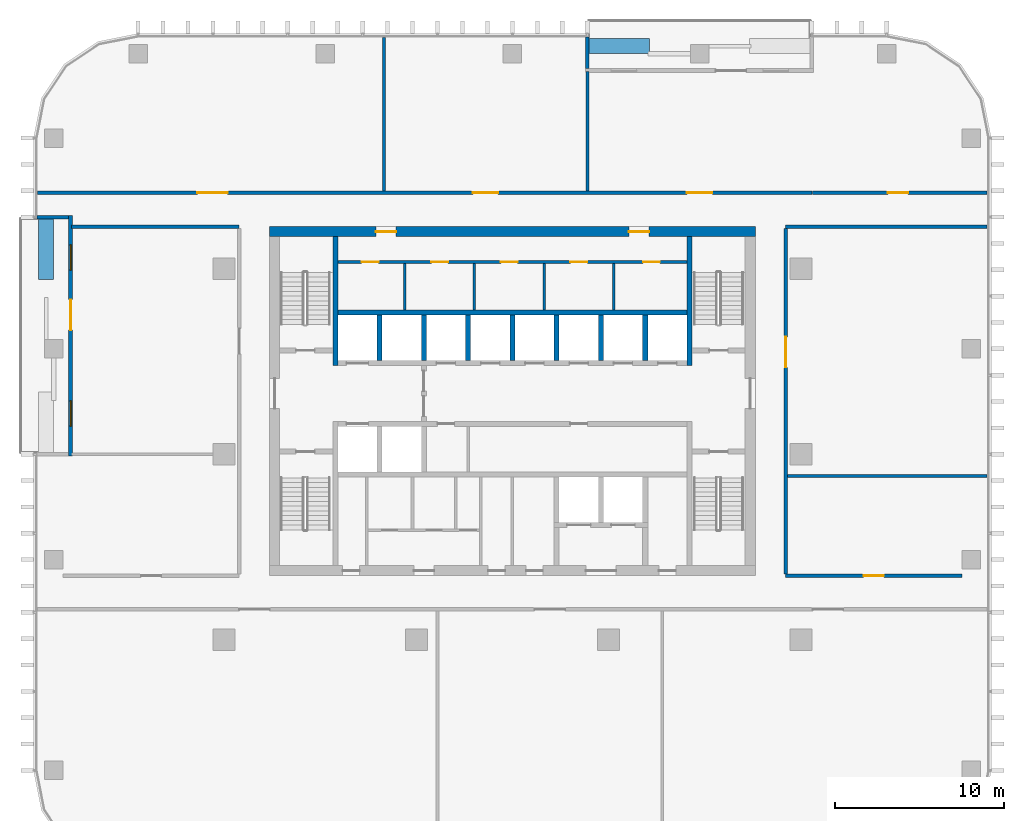
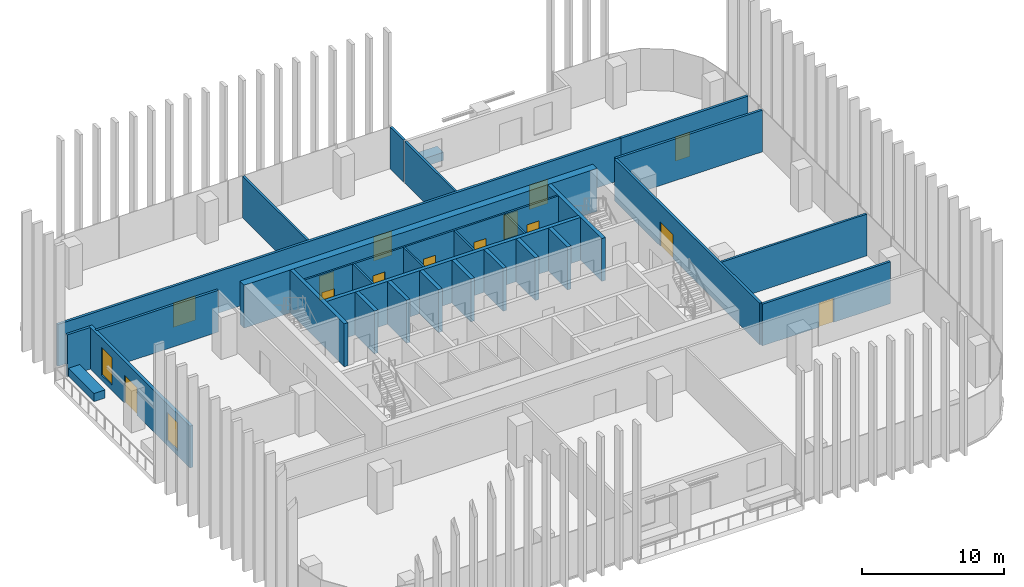
# One storey, part 9 of 16: 30 walls, 14 doors, 2 windows, 16 openings.
"""IFC4 building model written with IfcOpenShell, lengths in metres."""

from ifc_helpers import new_model, si_unit, direction, frame, frame_2d, origin, place, context, subcontext, project, spatial, rectangle, extrude, material, layer, layer_set, type_object, element, fill, save


model = new_model("IFC4")

# Units and contexts
model_context = context("Model", 3, precision=1e-05, world=origin(), true_north=direction((0.0, 1.0)))
body_context = subcontext(model_context, "Body", "Model", "MODEL_VIEW")
ifc_project = project(units=[si_unit("LENGTHUNIT", "METRE"), si_unit("AREAUNIT", "SQUARE_METRE"), si_unit("VOLUMEUNIT", "CUBIC_METRE"), si_unit("PLANEANGLEUNIT", "RADIAN"), si_unit("MASSUNIT", "GRAM", prefix="KILO")], contexts=[model_context])

# Site, building, storey
site_placement = place(None, origin())
site = spatial("IfcSite", under=ifc_project, at=site_placement, CompositionType="ELEMENT")
building_placement = place(site_placement, origin())
building = spatial("IfcBuilding", under=site, at=building_placement, Name="Mopane Tessera Tower", CompositionType="ELEMENT")
storey_placement = place(building_placement, frame((0.0, 0.0, 235.0)))
storey = spatial("IfcBuildingStorey", under=building, at=storey_placement, Name="L50", CompositionType="ELEMENT", Elevation=235.0)

# Walls
ifc_material_1 = material(Name="Fire-rated gypsum board partition")
ifc_layer_1 = layer(ifc_material_1, 0.14990234375)
ifc_layer_set_1 = layer_set([ifc_layer_1], Name="Fire-rated gypsum board partition")
wall_type_1 = type_object("IfcWallType", Name="Core room partition 150 mm", PredefinedType="PARTITIONING", material=ifc_layer_set_1)
for number, where, z_axis, x_axis, name in (
    (1, (-6.375, 8.550048828125, 0.0), (0.0, 0.0, 1.0), (0.0, 1.0, 0.0), "L50 Room partition"),
    (2, (-2.25, 8.550048828125, 0.0), (0.0, 0.0, 1.0), (0.0, 1.0, 0.0), "L50 Room partition"),
    (3, (1.875, 8.550048828125, 0.0), (0.0, 0.0, 1.0), (0.0, 1.0, 0.0), "L50 Room partition"),
    (4, (6.0, 8.550048828125, 0.0), (0.0, 0.0, 1.0), (0.0, 1.0, 0.0), "L50 Room partition"),
):
    element("IfcWall", number, at=place(storey_placement, frame(where, z_axis=z_axis, x_axis=x_axis)), inside=storey, type_object=wall_type_1, Name=name, PredefinedType="PARTITIONING", context=body_context, shape_type="SweptSolid", body=[
        extrude(rectangle(XDim=2.77490234375, YDim=0.14990234375, at=frame_2d((1.387451171875, 0.0))), origin(), (0.0, 0.0, 1.0), 3.699951171875),
    ])

# Wall, openings, doors
wall_1_placement = place(storey_placement, frame((-10.35009765625, 11.39990234375, 0.0), z_axis=(0.0, 0.0, 1.0), x_axis=(1.0, 0.0, 0.0)))
wall_1 = element("IfcWall", 5, at=wall_1_placement, inside=storey, type_object=wall_type_1, Name="L50 Corridor wall", PredefinedType="PARTITIONING", context=body_context, shape_type="SweptSolid", body=[
    extrude(rectangle(XDim=20.7001953125, YDim=0.14990234375, at=frame_2d((10.35009765625, 0.0))), origin(), (0.0, 0.0, 1.0), 3.699951171875),
])
opening_1_placement = place(wall_1_placement, frame((1.41259765625, 0.0, 0.0)))
opening_1 = element("IfcOpeningElement", 6, at=opening_1_placement, cuts=wall_1, Name="Opening RD1", PredefinedType="OPENING", context=body_context, shape_type="SweptSolid", body=[
    extrude(rectangle(XDim=1.0, YDim=2.10009765625, at=frame_2d((0.5, 1.050048828125))), frame((0.0, 0.0869140625, 0.0), z_axis=(0.0, -1.0, 0.0), x_axis=(1.0, 0.0, 0.0)), (0.0, 0.0, 1.0), 0.173828125),
])
opening_2_placement = place(wall_1_placement, frame((5.53759765625, 0.0, 0.0)))
opening_2 = element("IfcOpeningElement", 7, at=opening_2_placement, cuts=wall_1, Name="Opening RD1", PredefinedType="OPENING", context=body_context, shape_type="SweptSolid", body=[
    extrude(rectangle(XDim=1.0, YDim=2.10009765625, at=frame_2d((0.5, 1.050048828125))), frame((0.0, 0.0869140625, 0.0), z_axis=(0.0, -1.0, 0.0), x_axis=(1.0, 0.0, 0.0)), (0.0, 0.0, 1.0), 0.173828125),
])
opening_3_placement = place(wall_1_placement, frame((9.66259765625, 0.0, 0.0)))
opening_3 = element("IfcOpeningElement", 8, at=opening_3_placement, cuts=wall_1, Name="Opening RD1", PredefinedType="OPENING", context=body_context, shape_type="SweptSolid", body=[
    extrude(rectangle(XDim=1.0, YDim=2.10009765625, at=frame_2d((0.5, 1.050048828125))), frame((0.0, 0.0869140625, 0.0), z_axis=(0.0, -1.0, 0.0), x_axis=(1.0, 0.0, 0.0)), (0.0, 0.0, 1.0), 0.173828125),
])
opening_4_placement = place(wall_1_placement, frame((13.78759765625, 0.0, 0.0)))
opening_4 = element("IfcOpeningElement", 9, at=opening_4_placement, cuts=wall_1, Name="Opening RD1", PredefinedType="OPENING", context=body_context, shape_type="SweptSolid", body=[
    extrude(rectangle(XDim=1.0, YDim=2.10009765625, at=frame_2d((0.5, 1.050048828125))), frame((0.0, 0.0869140625, 0.0), z_axis=(0.0, -1.0, 0.0), x_axis=(1.0, 0.0, 0.0)), (0.0, 0.0, 1.0), 0.173828125),
])
opening_5_placement = place(wall_1_placement, frame((18.10009765625, 0.0, 0.0)))
opening_5 = element("IfcOpeningElement", 10, at=opening_5_placement, cuts=wall_1, Name="Opening RD1", PredefinedType="OPENING", context=body_context, shape_type="SweptSolid", body=[
    extrude(rectangle(XDim=1.0, YDim=2.10009765625, at=frame_2d((0.5, 1.050048828125))), frame((0.0, 0.0869140625, 0.0), z_axis=(0.0, -1.0, 0.0), x_axis=(1.0, 0.0, 0.0)), (0.0, 0.0, 1.0), 0.173828125),
])
ifc_material_2 = material(Name="Timber door", Category="wood")
door_type_1 = type_object("IfcDoorType", Name="Core room door 1000 x 2100", OperationType="SINGLE_SWING_LEFT", PredefinedType="DOOR", material=ifc_material_2)
door_1_placement = place(opening_1_placement, origin())
door_1 = element("IfcDoor", 11, at=door_1_placement, inside=storey, type_object=door_type_1, Name="L50 Room door", OperationType="SINGLE_SWING_LEFT", OverallHeight=2.10009765625, OverallWidth=1.0, PredefinedType="DOOR", context=body_context, shape_type="SweptSolid", body=[
    extrude(rectangle(XDim=1.0, YDim=2.10009765625, at=frame_2d((0.5, 1.050048828125))), frame((0.0, 0.02490234375, 0.0), z_axis=(0.0, -1.0, 0.0), x_axis=(1.0, 0.0, 0.0)), (0.0, 0.0, 1.0), 0.050048828125),
])
fill(opening_1, door_1)
door_2_placement = place(opening_2_placement, origin())
door_2 = element("IfcDoor", 12, at=door_2_placement, inside=storey, type_object=door_type_1, Name="L50 Room door", OperationType="SINGLE_SWING_LEFT", OverallHeight=2.10009765625, OverallWidth=1.0, PredefinedType="DOOR", context=body_context, shape_type="SweptSolid", body=[
    extrude(rectangle(XDim=1.0, YDim=2.10009765625, at=frame_2d((0.5, 1.050048828125))), frame((0.0, 0.02490234375, 0.0), z_axis=(0.0, -1.0, 0.0), x_axis=(1.0, 0.0, 0.0)), (0.0, 0.0, 1.0), 0.050048828125),
])
fill(opening_2, door_2)
door_3_placement = place(opening_3_placement, origin())
door_3 = element("IfcDoor", 13, at=door_3_placement, inside=storey, type_object=door_type_1, Name="L50 Room door", OperationType="SINGLE_SWING_LEFT", OverallHeight=2.10009765625, OverallWidth=1.0, PredefinedType="DOOR", context=body_context, shape_type="SweptSolid", body=[
    extrude(rectangle(XDim=1.0, YDim=2.10009765625, at=frame_2d((0.5, 1.050048828125))), frame((0.0, 0.02490234375, 0.0), z_axis=(0.0, -1.0, 0.0), x_axis=(1.0, 0.0, 0.0)), (0.0, 0.0, 1.0), 0.050048828125),
])
fill(opening_3, door_3)
door_4_placement = place(opening_4_placement, origin())
door_4 = element("IfcDoor", 14, at=door_4_placement, inside=storey, type_object=door_type_1, Name="L50 Room door", OperationType="SINGLE_SWING_LEFT", OverallHeight=2.10009765625, OverallWidth=1.0, PredefinedType="DOOR", context=body_context, shape_type="SweptSolid", body=[
    extrude(rectangle(XDim=1.0, YDim=2.10009765625, at=frame_2d((0.5, 1.050048828125))), frame((0.0, 0.02490234375, 0.0), z_axis=(0.0, -1.0, 0.0), x_axis=(1.0, 0.0, 0.0)), (0.0, 0.0, 1.0), 0.050048828125),
])
fill(opening_4, door_4)
door_5_placement = place(opening_5_placement, origin())
door_5 = element("IfcDoor", 15, at=door_5_placement, inside=storey, type_object=door_type_1, Name="L50 Room door", OperationType="SINGLE_SWING_LEFT", OverallHeight=2.10009765625, OverallWidth=1.0, PredefinedType="DOOR", context=body_context, shape_type="SweptSolid", body=[
    extrude(rectangle(XDim=1.0, YDim=2.10009765625, at=frame_2d((0.5, 1.050048828125))), frame((0.0, 0.02490234375, 0.0), z_axis=(0.0, -1.0, 0.0), x_axis=(1.0, 0.0, 0.0)), (0.0, 0.0, 1.0), 0.050048828125),
])
fill(opening_5, door_5)

ifc_material_3 = material(Name="Concrete C70/85", Category="concrete")
ifc_layer_2 = layer(ifc_material_3, 0.60009765625)
ifc_layer_set_2 = layer_set([ifc_layer_2], Name="Concrete C70/85")
wall_type_2 = type_object("IfcWallType", Name="Core shear wall 600 mm", PredefinedType="SHEAR", material=ifc_layer_set_2)
wall_2_placement = place(storey_placement, frame((-14.39990234375, 13.199951171875, 0.0), z_axis=(0.0, 0.0, 1.0), x_axis=(1.0, 0.0, 0.0)))
wall_2 = element("IfcWall", 16, at=wall_2_placement, inside=storey, type_object=wall_type_2, Name="L50 Core wall north", PredefinedType="SHEAR", context=body_context, shape_type="SweptSolid", body=[
    extrude(rectangle(XDim=28.7998046875, YDim=0.60009765625, at=frame_2d((14.39990234375, 0.0))), origin(), (0.0, 0.0, 1.0), 3.699951171875),
])
opening_6_placement = place(wall_2_placement, frame((6.300048828125, 0.0, 0.0)))
opening_6 = element("IfcOpeningElement", 17, at=opening_6_placement, cuts=wall_2, Name="Opening RD2", PredefinedType="OPENING", context=body_context, shape_type="SweptSolid", body=[
    extrude(rectangle(XDim=1.199951171875, YDim=2.10009765625, at=frame_2d((0.60009765625, 1.050048828125))), frame((0.0, 0.31201171875, 0.0), z_axis=(0.0, -1.0, 0.0), x_axis=(1.0, 0.0, 0.0)), (0.0, 0.0, 1.0), 0.6240234375),
])
opening_7_placement = place(wall_2_placement, frame((21.300048828125, 0.0, 0.0)))
opening_7 = element("IfcOpeningElement", 18, at=opening_7_placement, cuts=wall_2, Name="Opening RD2", PredefinedType="OPENING", context=body_context, shape_type="SweptSolid", body=[
    extrude(rectangle(XDim=1.199951171875, YDim=2.10009765625, at=frame_2d((0.60009765625, 1.050048828125))), frame((0.0, 0.31201171875, 0.0), z_axis=(0.0, -1.0, 0.0), x_axis=(1.0, 0.0, 0.0)), (0.0, 0.0, 1.0), 0.6240234375),
])
ifc_material_4 = material(Name="Timber door", Category="wood")
door_type_2 = type_object("IfcDoorType", Name="Core corridor door 1200 x 2100", OperationType="SINGLE_SWING_LEFT", PredefinedType="DOOR", material=ifc_material_4)
door_6_placement = place(opening_6_placement, origin())
door_6 = element("IfcDoor", 19, at=door_6_placement, inside=storey, type_object=door_type_2, Name="L50 Corridor door", OperationType="SINGLE_SWING_LEFT", OverallHeight=2.10009765625, OverallWidth=1.199951171875, PredefinedType="DOOR", context=body_context, shape_type="SweptSolid", body=[
    extrude(rectangle(XDim=1.199951171875, YDim=2.10009765625, at=frame_2d((0.60009765625, 1.050048828125))), frame((0.0, 0.02490234375, 0.0), z_axis=(0.0, -1.0, 0.0), x_axis=(1.0, 0.0, 0.0)), (0.0, 0.0, 1.0), 0.050048828125),
])
fill(opening_6, door_6)
door_7_placement = place(opening_7_placement, origin())
door_7 = element("IfcDoor", 20, at=door_7_placement, inside=storey, type_object=door_type_2, Name="L50 Corridor door", OperationType="SINGLE_SWING_RIGHT", OverallHeight=2.10009765625, OverallWidth=1.199951171875, PredefinedType="DOOR", context=body_context, shape_type="SweptSolid", body=[
    extrude(rectangle(XDim=1.199951171875, YDim=2.10009765625, at=frame_2d((0.60009765625, 1.050048828125))), frame((0.0, 0.02490234375, 0.0), z_axis=(0.0, -1.0, 0.0), x_axis=(1.0, 0.0, 0.0)), (0.0, 0.0, 1.0), 0.050048828125),
])
fill(opening_7, door_7)

# Walls
ifc_material_5 = material(Name="Concrete C60/75", Category="concrete")
ifc_layer_3 = layer(ifc_material_5, 0.300048828125)
ifc_layer_set_3 = layer_set([ifc_layer_3], Name="Concrete C60/75")
wall_type_3 = type_object("IfcWallType", Name="Core spine wall 300 mm", PredefinedType="SHEAR", material=ifc_layer_set_3)
for number, where, z_axis, x_axis, name in (
    (21, (-10.5, 5.25, 0.0), (0.0, 0.0, 1.0), (0.0, 1.0, 0.0), "L50 Core spine wall"),
    (22, (10.5, 5.25, 0.0), (0.0, 0.0, 1.0), (0.0, 1.0, 0.0), "L50 Core spine wall"),
):
    element("IfcWall", number, at=place(storey_placement, frame(where, z_axis=z_axis, x_axis=x_axis)), inside=storey, type_object=wall_type_3, Name=name, PredefinedType="SHEAR", context=body_context, shape_type="SweptSolid", body=[
        extrude(rectangle(XDim=7.64990234375, YDim=0.300048828125, at=frame_2d((3.824951171875, 0.0))), origin(), (0.0, 0.0, 1.0), 3.699951171875),
    ])
ifc_material_6 = material(Name="Gypsum board on staggered steel studs, double layer each face, acoustic mineral wool infill", Category="steel")
ifc_layer_4 = layer(ifc_material_6, 0.175048828125)
ifc_layer_set_4 = layer_set([ifc_layer_4], Name="Gypsum board on staggered steel studs, double layer each face, acoustic mineral wool infill")
wall_type_4 = type_object("IfcWallType", Name="Gypsum board acoustic partition 175, rated EI 60", PredefinedType="PARTITIONING", material=ifc_layer_set_4)
wall_3_placement = place(storey_placement, frame((16.300048828125, -1.284912109375, 0.0), z_axis=(0.0, 0.0, 1.0), x_axis=(1.0, 0.0, 0.0)))
element("IfcWall", 23, at=wall_3_placement, inside=storey, type_object=wall_type_4, Name="Partition L50:003", PredefinedType="PARTITIONING", context=body_context, shape_type="SweptSolid", body=[
    extrude(rectangle(XDim=11.849853515625, YDim=0.175048828125, at=frame_2d((5.9248046875, 0.0))), origin(), (0.0, 0.0, 1.0), 3.60009765625),
])
wall_4_placement = place(storey_placement, frame((-7.625, 15.60009765625, 0.0), z_axis=(0.0, 0.0, 1.0), x_axis=(0.0, 1.0, 0.0)))
element("IfcWall", 24, at=wall_4_placement, inside=storey, type_object=wall_type_4, Name="Partition L50:010", PredefinedType="PARTITIONING", context=body_context, shape_type="SweptSolid", body=[
    extrude(rectangle(XDim=9.099853515625, YDim=0.175048828125, at=frame_2d((4.5498046875, 0.0))), origin(), (0.0, 0.0, 1.0), 3.60009765625),
])
wall_5_placement = place(storey_placement, frame((4.43994140625, 15.60009765625, 0.0), z_axis=(0.0, 0.0, 1.0), x_axis=(0.0, 1.0, 0.0)))
element("IfcWall", 25, at=wall_5_placement, inside=storey, type_object=wall_type_4, Name="Partition L50:012", PredefinedType="PARTITIONING", context=body_context, shape_type="SweptSolid", body=[
    extrude(rectangle(XDim=7.099853515625, YDim=0.175048828125, at=frame_2d((3.5498046875, 0.0))), origin(), (0.0, 0.0, 1.0), 3.60009765625),
])

# Wall, opening, door
ifc_material_7 = material(Name="Gypsum board on steel studs, two layers each face, mineral wool infill", Category="steel")
ifc_layer_5 = layer(ifc_material_7, 0.199951171875)
ifc_layer_set_5 = layer_set([ifc_layer_5], Name="Gypsum board on steel studs, two layers each face, mineral wool infill")
wall_type_5 = type_object("IfcWallType", Name="Gypsum board corridor wall 200, rated EI 60", PredefinedType="PARTITIONING", material=ifc_layer_set_5)
wall_6_placement = place(storey_placement, frame((16.199951171875, -7.199951171875, 0.0), z_axis=(0.0, 0.0, 1.0), x_axis=(1.0, 0.0, 0.0)))
wall_6 = element("IfcWall", 26, at=wall_6_placement, inside=storey, type_object=wall_type_5, Name="Partition L50:002", PredefinedType="PARTITIONING", context=body_context, shape_type="SweptSolid", body=[
    extrude(rectangle(XDim=10.449951171875, YDim=0.199951171875, at=frame_2d((5.22509765625, 0.0))), origin(), (0.0, 0.0, 1.0), 3.60009765625),
])
opening_8_placement = place(wall_6_placement, frame((4.625, 0.0, 0.0)))
opening_8 = element("IfcOpeningElement", 27, at=opening_8_placement, cuts=wall_6, Name="Opening L50-07", PredefinedType="OPENING", context=body_context, shape_type="SweptSolid", body=[
    extrude(rectangle(XDim=1.199951171875, YDim=2.10009765625, at=frame_2d((0.60009765625, 1.050048828125))), frame((0.0, 0.112060546875, 0.0), z_axis=(0.0, -1.0, 0.0), x_axis=(1.0, 0.0, 0.0)), (0.0, 0.0, 1.0), 0.223876953125),
])
ifc_material_8 = material(Name="Timber veneered steel-framed fire door", Category="steel")
door_type_3 = type_object("IfcDoorType", Name="Fire door FD60 1200 x 2100", OperationType="SINGLE_SWING_LEFT", PredefinedType="DOOR", material=ifc_material_8)
door_8_placement = place(opening_8_placement, origin())
door_8 = element("IfcDoor", 28, at=door_8_placement, inside=storey, type_object=door_type_3, Name="Door L50-07", ObjectType="D15A", OperationType="SINGLE_SWING_RIGHT", OverallHeight=2.10009765625, OverallWidth=1.199951171875, PredefinedType="DOOR", context=body_context, shape_type="SweptSolid", body=[
    extrude(rectangle(XDim=1.199951171875, YDim=2.10009765625, at=frame_2d((0.60009765625, 1.050048828125))), frame((0.0, 0.02490234375, 0.0), z_axis=(0.0, -1.0, 0.0), x_axis=(1.0, 0.0, 0.0)), (0.0, 0.0, 1.0), 0.050048828125),
])
fill(opening_8, door_8)

# Walls
wall_7_placement = place(storey_placement, frame((-26.14990234375, 13.5, 0.0), z_axis=(0.0, 0.0, 1.0), x_axis=(1.0, 0.0, 0.0)))
element("IfcWall", 29, at=wall_7_placement, inside=storey, type_object=wall_type_5, Name="Partition L50:005", PredefinedType="PARTITIONING", context=body_context, shape_type="SweptSolid", body=[
    extrude(rectangle(XDim=9.949951171875, YDim=0.199951171875, at=frame_2d((4.97509765625, 0.0))), origin(), (0.0, 0.0, 1.0), 3.60009765625),
])
wall_8_placement = place(storey_placement, frame((16.199951171875, 13.5, 0.0), z_axis=(0.0, 0.0, 1.0), x_axis=(1.0, 0.0, 0.0)))
element("IfcWall", 30, at=wall_8_placement, inside=storey, type_object=wall_type_5, Name="Partition L50:006", PredefinedType="PARTITIONING", context=body_context, shape_type="SweptSolid", body=[
    extrude(rectangle(XDim=11.949951171875, YDim=0.199951171875, at=frame_2d((5.97509765625, 0.0))), origin(), (0.0, 0.0, 1.0), 3.60009765625),
])

# Wall, openings, doors
wall_9_placement = place(storey_placement, frame((-28.14990234375, 15.5, 0.0), z_axis=(0.0, 0.0, 1.0), x_axis=(1.0, 0.0, 0.0)))
wall_9 = element("IfcWall", 31, at=wall_9_placement, inside=storey, type_object=wall_type_5, Name="Partition L50:007", PredefinedType="PARTITIONING", context=body_context, shape_type="SweptSolid", body=[
    extrude(rectangle(XDim=45.909912109375, YDim=0.199951171875, at=frame_2d((22.955078125, 0.0))), origin(), (0.0, 0.0, 1.0), 3.60009765625),
])
opening_9_placement = place(wall_9_placement, frame((38.5, 0.0, 0.0)))
opening_9 = element("IfcOpeningElement", 32, at=opening_9_placement, cuts=wall_9, Name="Opening L50-03", PredefinedType="OPENING", context=body_context, shape_type="SweptSolid", body=[
    extrude(rectangle(XDim=1.5, YDim=2.10009765625, at=frame_2d((0.75, 1.050048828125))), frame((0.0, 0.112060546875, 0.0), z_axis=(0.0, -1.0, 0.0), x_axis=(1.0, 0.0, 0.0)), (0.0, 0.0, 1.0), 0.223876953125),
])
opening_10_placement = place(wall_9_placement, frame((9.46240234375, 0.0, 0.0)))
opening_10 = element("IfcOpeningElement", 33, at=opening_10_placement, cuts=wall_9, Name="Opening L50-05", PredefinedType="OPENING", context=body_context, shape_type="SweptSolid", body=[
    extrude(rectangle(XDim=1.800048828125, YDim=2.10009765625, at=frame_2d((0.89990234375, 1.050048828125))), frame((0.0, 0.112060546875, 0.0), z_axis=(0.0, -1.0, 0.0), x_axis=(1.0, 0.0, 0.0)), (0.0, 0.0, 1.0), 0.223876953125),
])
opening_11_placement = place(wall_9_placement, frame((25.8076171875, 0.0, 0.0)))
opening_11 = element("IfcOpeningElement", 34, at=opening_11_placement, cuts=wall_9, Name="Opening L50-10", PredefinedType="OPENING", context=body_context, shape_type="SweptSolid", body=[
    extrude(rectangle(XDim=1.5, YDim=2.10009765625, at=frame_2d((0.75, 1.050048828125))), frame((0.0, 0.112060546875, 0.0), z_axis=(0.0, -1.0, 0.0), x_axis=(1.0, 0.0, 0.0)), (0.0, 0.0, 1.0), 0.223876953125),
])
ifc_material_9 = material(Name="Timber veneered steel-framed fire door", Category="steel")
door_type_4 = type_object("IfcDoorType", Name="Fire door pair FD60 1500 x 2100", OperationType="DOUBLE_DOOR_SINGLE_SWING", PredefinedType="DOOR", material=ifc_material_9)
door_9_placement = place(opening_9_placement, origin())
door_9 = element("IfcDoor", 35, at=door_9_placement, inside=storey, type_object=door_type_4, Name="Door L50-03", ObjectType="D17A", OperationType="DOUBLE_DOOR_SINGLE_SWING", OverallHeight=2.10009765625, OverallWidth=1.5, PredefinedType="DOOR", context=body_context, shape_type="SweptSolid", body=[
    extrude(rectangle(XDim=1.5, YDim=2.10009765625, at=frame_2d((0.75, 1.050048828125))), frame((0.0, 0.02490234375, 0.0), z_axis=(0.0, -1.0, 0.0), x_axis=(1.0, 0.0, 0.0)), (0.0, 0.0, 1.0), 0.050048828125),
])
fill(opening_9, door_9)
door_10_placement = place(opening_11_placement, origin())
door_10 = element("IfcDoor", 36, at=door_10_placement, inside=storey, type_object=door_type_4, Name="Door L50-10", ObjectType="D17A", OperationType="DOUBLE_DOOR_SINGLE_SWING", OverallHeight=2.10009765625, OverallWidth=1.5, PredefinedType="DOOR", context=body_context, shape_type="SweptSolid", body=[
    extrude(rectangle(XDim=1.5, YDim=2.10009765625, at=frame_2d((0.75, 1.050048828125))), frame((0.0, 0.02490234375, 0.0), z_axis=(0.0, -1.0, 0.0), x_axis=(1.0, 0.0, 0.0)), (0.0, 0.0, 1.0), 0.050048828125),
])
fill(opening_11, door_10)
ifc_material_10 = material(Name="Timber veneered steel-framed fire door", Category="steel")
door_type_5 = type_object("IfcDoorType", Name="Fire door pair FD60 1800 x 2100", OperationType="DOUBLE_DOOR_SINGLE_SWING", PredefinedType="DOOR", material=ifc_material_10)
door_11_placement = place(opening_10_placement, origin())
door_11 = element("IfcDoor", 37, at=door_11_placement, inside=storey, type_object=door_type_5, Name="Door L50-05", ObjectType="D20A", OperationType="DOUBLE_DOOR_SINGLE_SWING", OverallHeight=2.10009765625, OverallWidth=1.800048828125, PredefinedType="DOOR", context=body_context, shape_type="SweptSolid", body=[
    extrude(rectangle(XDim=1.800048828125, YDim=2.10009765625, at=frame_2d((0.89990234375, 1.050048828125))), frame((0.0, 0.02490234375, 0.0), z_axis=(0.0, -1.0, 0.0), x_axis=(1.0, 0.0, 0.0)), (0.0, 0.0, 1.0), 0.050048828125),
])
fill(opening_10, door_11)

# Wall, opening, door
wall_10_placement = place(storey_placement, frame((17.784912109375, 15.5, 0.0), z_axis=(0.0, 0.0, 1.0), x_axis=(1.0, 0.0, 0.0)))
wall_10 = element("IfcWall", 38, at=wall_10_placement, inside=storey, type_object=wall_type_5, Name="Partition L50:008", PredefinedType="PARTITIONING", context=body_context, shape_type="SweptSolid", body=[
    extrude(rectangle(XDim=10.364990234375, YDim=0.199951171875, at=frame_2d((5.1826171875, 0.0))), origin(), (0.0, 0.0, 1.0), 3.60009765625),
])
opening_12_placement = place(wall_10_placement, frame((4.482421875, 0.0, 0.0)))
opening_12 = element("IfcOpeningElement", 39, at=opening_12_placement, cuts=wall_10, Name="Opening L50-04", PredefinedType="OPENING", context=body_context, shape_type="SweptSolid", body=[
    extrude(rectangle(XDim=1.199951171875, YDim=2.10009765625, at=frame_2d((0.60009765625, 1.050048828125))), frame((0.0, 0.112060546875, 0.0), z_axis=(0.0, -1.0, 0.0), x_axis=(1.0, 0.0, 0.0)), (0.0, 0.0, 1.0), 0.223876953125),
])
door_12_placement = place(opening_12_placement, origin())
door_12 = element("IfcDoor", 40, at=door_12_placement, inside=storey, type_object=door_type_3, Name="Door L50-04", ObjectType="D15A", OperationType="SINGLE_SWING_LEFT", OverallHeight=2.10009765625, OverallWidth=1.199951171875, PredefinedType="DOOR", context=body_context, shape_type="SweptSolid", body=[
    extrude(rectangle(XDim=1.199951171875, YDim=2.10009765625, at=frame_2d((0.60009765625, 1.050048828125))), frame((0.0, 0.02490234375, 0.0), z_axis=(0.0, -1.0, 0.0), x_axis=(1.0, 0.0, 0.0)), (0.0, 0.0, 1.0), 0.050048828125),
])
fill(opening_12, door_12)

wall_11_placement = place(storey_placement, frame((16.199951171875, -7.10009765625, 0.0), z_axis=(0.0, 0.0, 1.0), x_axis=(0.0, 1.0, 0.0)))
wall_11 = element("IfcWall", 41, at=wall_11_placement, inside=storey, type_object=wall_type_5, Name="Partition L50:014", PredefinedType="PARTITIONING", context=body_context, shape_type="SweptSolid", body=[
    extrude(rectangle(XDim=20.5, YDim=0.199951171875, at=frame_2d((10.25, 0.0))), origin(), (0.0, 0.0, 1.0), 3.60009765625),
])
opening_13_placement = place(wall_11_placement, frame((12.257568359375, 0.0, 0.0)))
opening_13 = element("IfcOpeningElement", 42, at=opening_13_placement, cuts=wall_11, Name="Opening L50-11", PredefinedType="OPENING", context=body_context, shape_type="SweptSolid", body=[
    extrude(rectangle(XDim=1.800048828125, YDim=2.10009765625, at=frame_2d((0.89990234375, 1.050048828125))), frame((0.0, 0.112060546875, 0.0), z_axis=(0.0, -1.0, 0.0), x_axis=(1.0, 0.0, 0.0)), (0.0, 0.0, 1.0), 0.223876953125),
])
door_13_placement = place(opening_13_placement, origin())
door_13 = element("IfcDoor", 43, at=door_13_placement, inside=storey, type_object=door_type_5, Name="Door L50-11", ObjectType="D20A", OperationType="DOUBLE_DOOR_SINGLE_SWING", OverallHeight=2.10009765625, OverallWidth=1.800048828125, PredefinedType="DOOR", context=body_context, shape_type="SweptSolid", body=[
    extrude(rectangle(XDim=1.800048828125, YDim=2.10009765625, at=frame_2d((0.89990234375, 1.050048828125))), frame((0.0, 0.02490234375, 0.0), z_axis=(0.0, -1.0, 0.0), x_axis=(1.0, 0.0, 0.0)), (0.0, 0.0, 1.0), 0.050048828125),
])
fill(opening_13, door_13)

# Walls
ifc_material_11 = material(Name="Concrete C50/60", Category="concrete")
ifc_layer_6 = layer(ifc_material_11, 0.300048828125)
ifc_layer_set_6 = layer_set([ifc_layer_6], Name="Concrete C50/60")
wall_type_6 = type_object("IfcWallType", Name="Lift and stair shaft wall 300 mm", PredefinedType="SOLIDWALL", material=ifc_layer_set_6)
wall_12_placement = place(storey_placement, frame((-10.35009765625, 8.39990234375, 0.0), z_axis=(0.0, 0.0, 1.0), x_axis=(1.0, 0.0, 0.0)))
element("IfcWall", 44, at=wall_12_placement, inside=storey, type_object=wall_type_6, Name="L50 Lift shaft rear wall", PredefinedType="SOLIDWALL", context=body_context, shape_type="SweptSolid", body=[
    extrude(rectangle(XDim=20.7001953125, YDim=0.300048828125, at=frame_2d((10.35009765625, 0.0))), origin(), (0.0, 0.0, 1.0), 3.699951171875),
])
for number, where, z_axis, x_axis, name in (
    (45, (-7.875, 5.550048828125, 0.0), (0.0, 0.0, 1.0), (0.0, 1.0, 0.0), "L50 Lift shaft wall"),
    (46, (-5.25, 5.550048828125, 0.0), (0.0, 0.0, 1.0), (0.0, 1.0, 0.0), "L50 Lift shaft wall"),
    (47, (-2.625, 5.550048828125, 0.0), (0.0, 0.0, 1.0), (0.0, 1.0, 0.0), "L50 Lift shaft wall"),
    (48, (0.0, 5.550048828125, 0.0), (0.0, 0.0, 1.0), (0.0, 1.0, 0.0), "L50 Lift shaft wall"),
    (49, (2.625, 5.550048828125, 0.0), (0.0, 0.0, 1.0), (0.0, 1.0, 0.0), "L50 Lift shaft wall"),
    (50, (5.25, 5.550048828125, 0.0), (0.0, 0.0, 1.0), (0.0, 1.0, 0.0), "L50 Lift shaft wall"),
    (51, (7.875, 5.550048828125, 0.0), (0.0, 0.0, 1.0), (0.0, 1.0, 0.0), "L50 Lift shaft wall"),
):
    element("IfcWall", number, at=place(storey_placement, frame(where, z_axis=z_axis, x_axis=x_axis)), inside=storey, type_object=wall_type_6, Name=name, PredefinedType="SOLIDWALL", context=body_context, shape_type="SweptSolid", body=[
        extrude(rectangle(XDim=2.699951171875, YDim=0.300048828125, at=frame_2d((1.35009765625, 0.0))), origin(), (0.0, 0.0, 1.0), 3.699951171875),
    ])
ifc_material_12 = material(Name="Reinforced concrete C32/40 with waterproofing", Category="concrete")
ifc_layer_7 = layer(ifc_material_12, 0.89990234375)
ifc_layer_set_7 = layer_set([ifc_layer_7], Name="Reinforced concrete C32/40 with waterproofing")
wall_type_7 = type_object("IfcWallType", Name="Planter trough 3600 x 900", PredefinedType="STANDARD", material=ifc_layer_set_7)
for number, where, z_axis, x_axis, name in (
    (52, (8.139892578125, 24.199951171875, 0.0), (0.0, 0.0, 1.0), (-1.0, 0.0, 0.0), "e:nw:L50:N2:pl1"),
    (53, (-27.64990234375, 13.96240234375, 0.0), (0.0, 0.0, 1.0), (0.0, -1.0, 0.0), "e:nw:L50:N3:pl0"),
):
    element("IfcWall", number, at=place(storey_placement, frame(where, z_axis=z_axis, x_axis=x_axis)), inside=storey, type_object=wall_type_7, Name=name, PredefinedType="STANDARD", context=body_context, shape_type="SweptSolid", body=[
        extrude(rectangle(XDim=3.599853515625, YDim=0.89990234375, at=frame_2d((1.7998046875, 0.0))), origin(), (0.0, 0.0, 1.0), 0.699951171875),
    ])
ifc_material_13 = material(Name="Blockwork with glazed tile facing", Category="masonry")
ifc_layer_8 = layer(ifc_material_13, 0.199951171875)
ifc_layer_set_8 = layer_set([ifc_layer_8], Name="Blockwork with glazed tile facing")
wall_type_8 = type_object("IfcWallType", Name="Terrace cheek wall 200", PredefinedType="STANDARD", material=ifc_layer_set_8)
for number, where, z_axis, x_axis, name in (
    (54, (4.43994140625, 24.75, 0.0), (0.0, 0.0, 1.0), (0.0, -1.0, 0.0), "e:nw:L50:N2:cheekb"),
    (55, (-28.199951171875, 14.0625, 0.0), (0.0, 0.0, 1.0), (1.0, 0.0, 0.0), "e:nw:L50:N3:cheeka"),
):
    element("IfcWall", number, at=place(storey_placement, frame(where, z_axis=z_axis, x_axis=x_axis)), inside=storey, type_object=wall_type_8, Name=name, PredefinedType="STANDARD", context=body_context, shape_type="SweptSolid", body=[
        extrude(rectangle(XDim=1.875, YDim=0.199951171875, at=frame_2d((0.9375, 0.0))), origin(), (0.0, 0.0, 1.0), 3.60009765625),
    ])

# Wall, openings, windows, door
ifc_material_14 = material(Name="Blockwork with ochre glazed tile facing", Category="masonry")
ifc_layer_9 = layer(ifc_material_14, 0.25)
ifc_layer_set_9 = layer_set([ifc_layer_9], Name="Blockwork with ochre glazed tile facing")
wall_type_9 = type_object("IfcWallType", Name="Tile-clad external wall 250, ochre", PredefinedType="STANDARD", material=ifc_layer_set_9)
wall_13_placement = place(storey_placement, frame((-26.199951171875, 14.16259765625, 0.0), z_axis=(0.0, 0.0, 1.0), x_axis=(0.0, -1.0, 0.0)))
wall_13 = element("IfcWall", 56, at=wall_13_placement, inside=storey, type_object=wall_type_9, Name="e:nw:L50:N3:back", PredefinedType="STANDARD", context=body_context, shape_type="SweptSolid", body=[
    extrude(rectangle(XDim=14.2626953125, YDim=0.25, at=frame_2d((7.13134765625, 0.0))), origin(), (0.0, 0.0, 1.0), 3.60009765625),
])
opening_14_placement = place(wall_13_placement, frame((1.75, 0.0, 0.449951171875)))
opening_14 = element("IfcOpeningElement", 57, at=opening_14_placement, cuts=wall_13, Name="Opening NW503A", PredefinedType="OPENING", context=body_context, shape_type="SweptSolid", body=[
    extrude(rectangle(XDim=1.5, YDim=2.39990234375, at=frame_2d((0.75, 1.199951171875))), frame((0.0, 0.136962890625, 0.0), z_axis=(0.0, -1.0, 0.0), x_axis=(1.0, 0.0, 0.0)), (0.0, 0.0, 1.0), 0.27392578125),
])
opening_15_placement = place(wall_13_placement, frame((5.0, 0.0, 0.0)))
opening_15 = element("IfcOpeningElement", 58, at=opening_15_placement, cuts=wall_13, Name="Opening ND503", PredefinedType="OPENING", context=body_context, shape_type="SweptSolid", body=[
    extrude(rectangle(XDim=1.800048828125, YDim=2.39990234375, at=frame_2d((0.89990234375, 1.199951171875))), frame((0.0, 0.136962890625, 0.0), z_axis=(0.0, -1.0, 0.0), x_axis=(1.0, 0.0, 0.0)), (0.0, 0.0, 1.0), 0.27392578125),
])
opening_16_placement = place(wall_13_placement, frame((11.0, 0.0, 0.449951171875)))
opening_16 = element("IfcOpeningElement", 59, at=opening_16_placement, cuts=wall_13, Name="Opening NW503B", PredefinedType="OPENING", context=body_context, shape_type="SweptSolid", body=[
    extrude(rectangle(XDim=1.5, YDim=2.39990234375, at=frame_2d((0.75, 1.199951171875))), frame((0.0, 0.136962890625, 0.0), z_axis=(0.0, -1.0, 0.0), x_axis=(1.0, 0.0, 0.0)), (0.0, 0.0, 1.0), 0.27392578125),
])
ifc_material_15 = material(Name="Clear laminated glass", Category="glass")
window_type = type_object("IfcWindowType", Name="Fixed window 1500 x 2400", PartitioningType="SINGLE_PANEL", PredefinedType="WINDOW", material=ifc_material_15)
window_1_placement = place(opening_14_placement, origin())
window_1 = element("IfcWindow", 60, at=window_1_placement, inside=storey, type_object=window_type, Name="e:nw:L50:N3:win0", OverallHeight=2.39990234375, OverallWidth=1.5, PartitioningType="SINGLE_PANEL", PredefinedType="WINDOW", context=body_context, shape_type="SweptSolid", body=[
    extrude(rectangle(XDim=1.5, YDim=2.39990234375, at=frame_2d((0.75, 1.199951171875))), frame((0.0, 0.030029296875, 0.0), z_axis=(0.0, -1.0, 0.0), x_axis=(1.0, 0.0, 0.0)), (0.0, 0.0, 1.0), 0.06005859375),
])
fill(opening_14, window_1)
window_2_placement = place(opening_16_placement, origin())
window_2 = element("IfcWindow", 61, at=window_2_placement, inside=storey, type_object=window_type, Name="e:nw:L50:N3:win2", OverallHeight=2.39990234375, OverallWidth=1.5, PartitioningType="SINGLE_PANEL", PredefinedType="WINDOW", context=body_context, shape_type="SweptSolid", body=[
    extrude(rectangle(XDim=1.5, YDim=2.39990234375, at=frame_2d((0.75, 1.199951171875))), frame((0.0, 0.030029296875, 0.0), z_axis=(0.0, -1.0, 0.0), x_axis=(1.0, 0.0, 0.0)), (0.0, 0.0, 1.0), 0.06005859375),
])
fill(opening_16, window_2)
ifc_material_16 = material(Name="Aluminium and clear glass", Category="aluminium")
door_type_6 = type_object("IfcDoorType", Name="Terrace double door 1800 x 2400", OperationType="DOUBLE_DOOR_SINGLE_SWING", PredefinedType="DOOR", material=ifc_material_16)
door_14_placement = place(opening_15_placement, origin())
door_14 = element("IfcDoor", 62, at=door_14_placement, inside=storey, type_object=door_type_6, Name="e:nw:L50:N3:door", ObjectType="D1", OperationType="DOUBLE_DOOR_SINGLE_SWING", OverallHeight=2.39990234375, OverallWidth=1.800048828125, PredefinedType="DOOR", context=body_context, shape_type="SweptSolid", body=[
    extrude(rectangle(XDim=1.800048828125, YDim=2.39990234375, at=frame_2d((0.89990234375, 1.199951171875))), frame((0.0, 0.02490234375, 0.0), z_axis=(0.0, -1.0, 0.0), x_axis=(1.0, 0.0, 0.0)), (0.0, 0.0, 1.0), 0.050048828125),
])
fill(opening_15, door_14)

save(model, "model.ifc")
